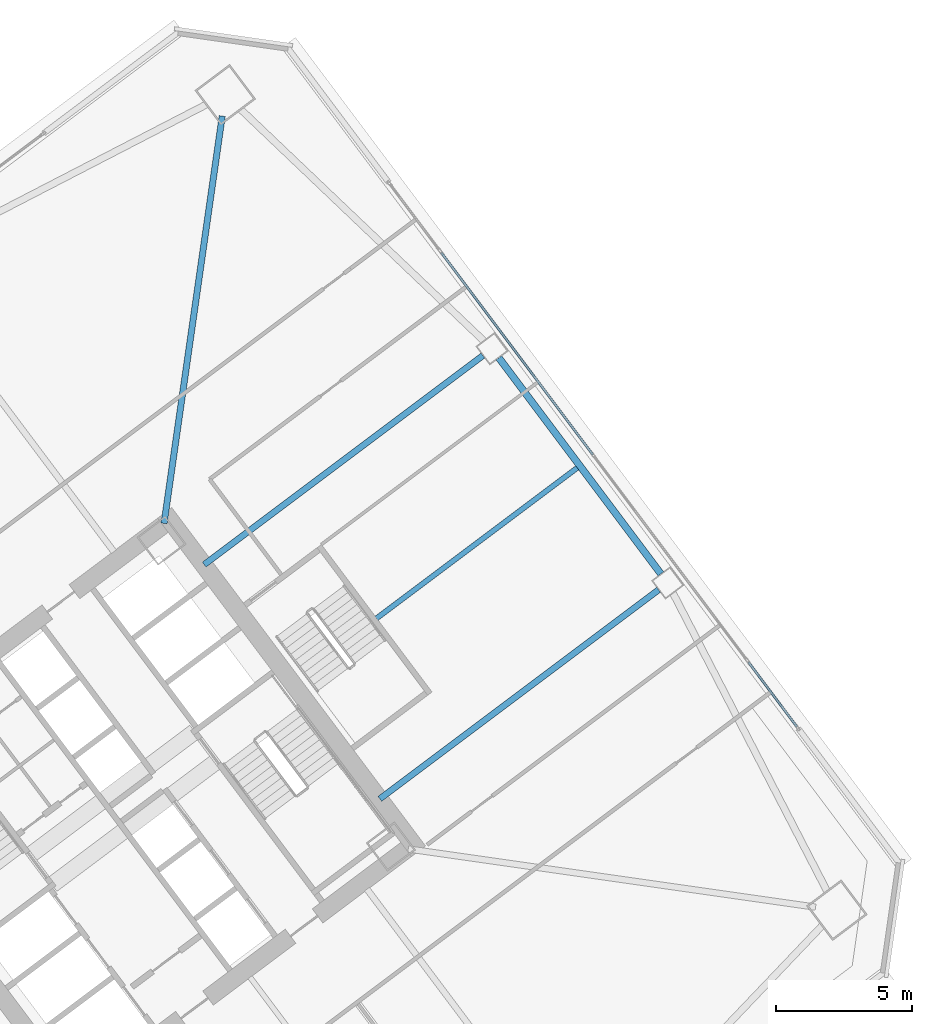
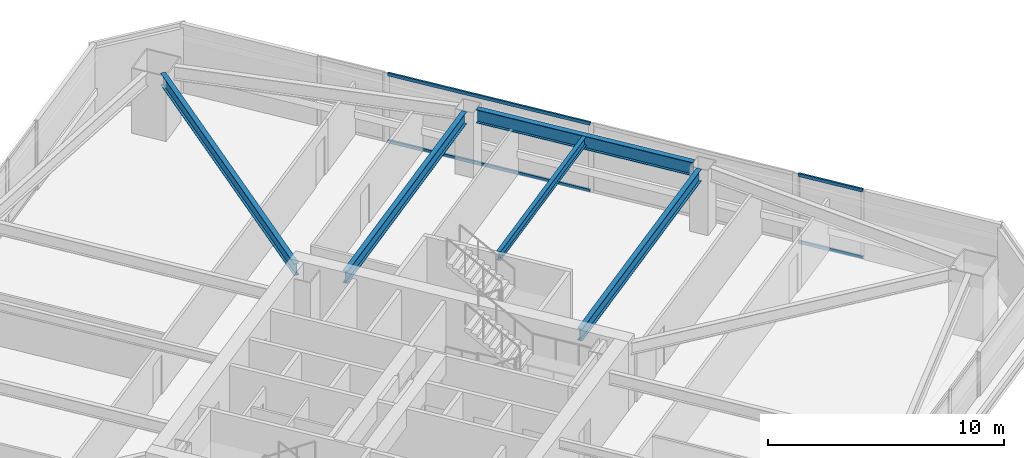
# One storey, part 32 of 46: 5 beams, 4 members, 2 elements without a shape of their own.
"""IFC4 building model written with IfcOpenShell, lengths in metres."""

from ifc_helpers import new_model, si_unit, direction, frame, origin, origin_2d, place, context, subcontext, project, spatial, hollow_rectangle, i_section, extrude, material, material_profile, profile_set, type_object, element, aggregate, save


model = new_model("IFC4")

# Units and contexts
model_context = context("Model", 3, precision=1e-05, world=origin(), true_north=direction((0.0, 1.0)))
body_context = subcontext(model_context, "Body", "Model", "MODEL_VIEW")
ifc_project = project(units=[si_unit("LENGTHUNIT", "METRE"), si_unit("AREAUNIT", "SQUARE_METRE"), si_unit("VOLUMEUNIT", "CUBIC_METRE"), si_unit("PLANEANGLEUNIT", "RADIAN"), si_unit("MASSUNIT", "GRAM", prefix="KILO")], contexts=[model_context])

# Site, building, storey
site_placement = place(None, origin())
site = spatial("IfcSite", under=ifc_project, at=site_placement, CompositionType="ELEMENT")
building_placement = place(site_placement, origin())
building = spatial("IfcBuilding", under=site, at=building_placement, Name="Tashvorn Skyway Center", CompositionType="ELEMENT")
storey_placement = place(building_placement, frame((0.0, 0.0, 60.10009765625)))
storey = spatial("IfcBuildingStorey", under=building, at=storey_placement, Name="L15", CompositionType="ELEMENT", Elevation=60.10009765625)

# Beams
ifc_material_1 = material(Name="Steel ASTM A992 Grade 50", Category="steel")
ifc_material_profile_1 = material_profile(ifc_material_1, i_section(OverallWidth=0.22998046875, OverallDepth=0.616943359375, WebThickness=0.01318359375, FlangeThickness=0.022216796875, at=origin_2d()), Name="W24X94")
ifc_profile_set_1 = profile_set([ifc_material_profile_1], Name="Steel ASTM A992 Grade 50")
beam_type_1 = type_object("IfcBeamType", Name="BM-BEAM-W24X94", PredefinedType="BEAM", material=ifc_profile_set_1)
beam_1_placement = place(storey_placement, frame((117.6474609375, 57.532958984375, 3.04150390625), z_axis=(-0.141414599991, -0.989950458816, 0.0), x_axis=(0.989950458816, -0.141414599991, 0.0)))
element("IfcBeam", 1, at=beam_1_placement, inside=storey, type_object=beam_type_1, Name="Tower 2 L15 Primary Floor Girder MC-NE", PredefinedType="BEAM", context=body_context, shape_type="SweptSolid", body=[
    extrude(i_section(OverallWidth=0.22998046875, OverallDepth=0.616943359375, WebThickness=0.01318359375, FlangeThickness=0.022216796875, at=origin_2d()), origin(), (0.0, 0.0, 1.0), 15.177001953125),
])
beam_2_placement = place(storey_placement, frame((133.743896484375, 40.05810546875, 3.04150390625), z_axis=(-0.799986320265, -0.600018239213, 0.0), x_axis=(0.600018239213, -0.799986320265, 0.0)))
element("IfcBeam", 2, at=beam_2_placement, inside=storey, type_object=beam_type_1, Name="Tower 2 L15 Primary Floor Girder FC-E1", PredefinedType="BEAM", context=body_context, shape_type="SweptSolid", body=[
    extrude(i_section(OverallWidth=0.22998046875, OverallDepth=0.616943359375, WebThickness=0.01318359375, FlangeThickness=0.022216796875, at=origin_2d()), origin(), (0.0, 0.0, 1.0), 12.849853515625),
])
beam_3_placement = place(storey_placement, frame((127.263916015625, 48.697998046875, 3.04150390625), z_axis=(-0.800002279907, -0.599996960112, 0.0), x_axis=(0.599996960112, -0.800002279907, 0.0)))
element("IfcBeam", 3, at=beam_3_placement, inside=storey, type_object=beam_type_1, Name="Tower 2 L15 Primary Floor Girder FC-E2", PredefinedType="BEAM", context=body_context, shape_type="SweptSolid", body=[
    extrude(i_section(OverallWidth=0.22998046875, OverallDepth=0.616943359375, WebThickness=0.01318359375, FlangeThickness=0.022216796875, at=origin_2d()), origin(), (0.0, 0.0, 1.0), 12.85009765625),
])
ifc_material_profile_2 = material_profile(ifc_material_1, i_section(OverallWidth=0.19091796875, OverallDepth=0.4599609375, WebThickness=0.010009765625, FlangeThickness=0.01611328125, at=origin_2d()), Name="W18X55")
ifc_profile_set_2 = profile_set([ifc_material_profile_2], Name="Steel ASTM A992 Grade 50")
beam_type_2 = type_object("IfcBeamType", Name="BM-JOIST-W18X55", PredefinedType="JOIST", material=ifc_profile_set_2)
beam_4_placement = place(storey_placement, frame((123.3359375, 39.001953125, 3.119873046875), z_axis=(0.799990508532, 0.600012655082, 0.0), x_axis=(-0.600012655082, 0.799990508532, 0.0)))
element("IfcBeam", 4, at=beam_4_placement, inside=storey, type_object=beam_type_2, Name="Tower 2 L15 Secondary Composite Joist JE", PredefinedType="JOIST", context=body_context, shape_type="SweptSolid", body=[
    extrude(i_section(OverallWidth=0.19091796875, OverallDepth=0.4599609375, WebThickness=0.010009765625, FlangeThickness=0.01611328125, at=origin_2d()), origin(), (0.0, 0.0, 1.0), 9.260009765625),
])
ifc_material_profile_3 = material_profile(ifc_material_1, i_section(OverallWidth=0.256103515625, OverallDepth=0.693115234375, WebThickness=0.014404296875, FlangeThickness=0.023681640625, at=origin_2d()), Name="W27X114")
ifc_profile_set_3 = profile_set([ifc_material_profile_3], Name="Steel ASTM A992 Grade 50")
beam_type_3 = type_object("IfcBeamType", Name="BM-SPANDREL-W27X114", PredefinedType="SPANDREL", material=ifc_profile_set_3)
beam_5_placement = place(storey_placement, frame((133.827880859375, 40.64599609375, 3.00341796875), z_axis=(-0.599988234018, 0.800008824351, 0.0), x_axis=(-0.800008824351, -0.599988234018, 0.0)))
element("IfcBeam", 5, at=beam_5_placement, inside=storey, type_object=beam_type_3, Name="Tower 2 L15 Spandrel Beam 05", PredefinedType="SPANDREL", context=body_context, shape_type="SweptSolid", body=[
    extrude(i_section(OverallWidth=0.256103515625, OverallDepth=0.693115234375, WebThickness=0.014404296875, FlangeThickness=0.023681640625, at=origin_2d()), origin(), (0.0, 0.0, 1.0), 9.9599609375),
])

# Curtain wall, members
ifc_material_2 = material(Name="Thermally broken bronze-anodized aluminium 6063-T6", Category="aluminium")
curtain_wall_type = type_object("IfcCurtainWallType", Name="CW-CW-Z1", PredefinedType="NOTDEFINED", material=ifc_material_2)
curtain_wall_1_placement = place(storey_placement, origin())
curtain_wall_1 = element("IfcCurtainWall", 6, at=curtain_wall_1_placement, inside=storey, type_object=curtain_wall_type, Name="Tower 2 L15 East Unitised Curtain Wall Glazing Group 2", PredefinedType="NOTDEFINED")
ifc_material_profile_4 = material_profile(ifc_material_2, hollow_rectangle(XDim=0.0849609375, YDim=0.1650390625, WallThickness=0.0048828125, at=origin_2d()), Name="ALU-TRAN-85x165")
ifc_profile_set_4 = profile_set([ifc_material_profile_4], Name="Thermally broken bronze-anodized aluminium 6063-T6")
member_type = type_object("IfcMemberType", Name="CWT-CW-Z1", PredefinedType="USERDEFINED", material=ifc_profile_set_4)
member_1_placement = place(storey_placement, frame((125.73095703125, 52.491943359375, 0.04248046875), z_axis=(0.600012583752, -0.799990562031, 0.0), x_axis=(0.799990562031, 0.600012583752, 0.0)))
member_1 = element("IfcMember", 7, at=member_1_placement, type_object=member_type, Name="CW-Z1 transom 1.1", ObjectType="TRANSOM", PredefinedType="USERDEFINED", context=body_context, shape_type="SweptSolid", body=[
    extrude(hollow_rectangle(XDim=0.0849609375, YDim=0.1650390625, WallThickness=0.0048828125, at=origin_2d()), origin(), (0.0, 0.0, 1.0), 9.3125),
])
member_2_placement = place(storey_placement, frame((125.73095703125, 52.491943359375, 3.50732421875), z_axis=(0.600012583752, -0.799990562031, 0.0), x_axis=(0.799990562031, 0.600012583752, 0.0)))
member_2 = element("IfcMember", 8, at=member_2_placement, type_object=member_type, Name="CW-Z1 transom 1.2", ObjectType="TRANSOM", PredefinedType="USERDEFINED", context=body_context, shape_type="SweptSolid", body=[
    extrude(hollow_rectangle(XDim=0.0849609375, YDim=0.1650390625, WallThickness=0.0048828125, at=origin_2d()), origin(), (0.0, 0.0, 1.0), 9.3125),
])
aggregate(curtain_wall_1, [member_1, member_2])

curtain_wall_2_placement = place(storey_placement, origin())
curtain_wall_2 = element("IfcCurtainWall", 9, at=curtain_wall_2_placement, inside=storey, type_object=curtain_wall_type, Name="Tower 2 L15 East Unitised Curtain Wall Glazing Group 3", PredefinedType="NOTDEFINED")
member_3_placement = place(storey_placement, frame((137.05908203125, 37.387939453125, 0.04248046875), z_axis=(0.599973753388, -0.800019684286, 0.0), x_axis=(0.800019684286, 0.599973753388, 0.0)))
member_3 = element("IfcMember", 10, at=member_3_placement, type_object=member_type, Name="CW-Z1 transom 1.1", ObjectType="TRANSOM", PredefinedType="USERDEFINED", context=body_context, shape_type="SweptSolid", body=[
    extrude(hollow_rectangle(XDim=0.0849609375, YDim=0.1650390625, WallThickness=0.0048828125, at=origin_2d()), origin(), (0.0, 0.0, 1.0), 2.9765625),
])
member_4_placement = place(storey_placement, frame((137.05908203125, 37.387939453125, 3.50732421875), z_axis=(0.599973753388, -0.800019684286, 0.0), x_axis=(0.800019684286, 0.599973753388, 0.0)))
member_4 = element("IfcMember", 11, at=member_4_placement, type_object=member_type, Name="CW-Z1 transom 1.2", ObjectType="TRANSOM", PredefinedType="USERDEFINED", context=body_context, shape_type="SweptSolid", body=[
    extrude(hollow_rectangle(XDim=0.0849609375, YDim=0.1650390625, WallThickness=0.0048828125, at=origin_2d()), origin(), (0.0, 0.0, 1.0), 2.9765625),
])
aggregate(curtain_wall_2, [member_3, member_4])

save(model, "model.ifc")
